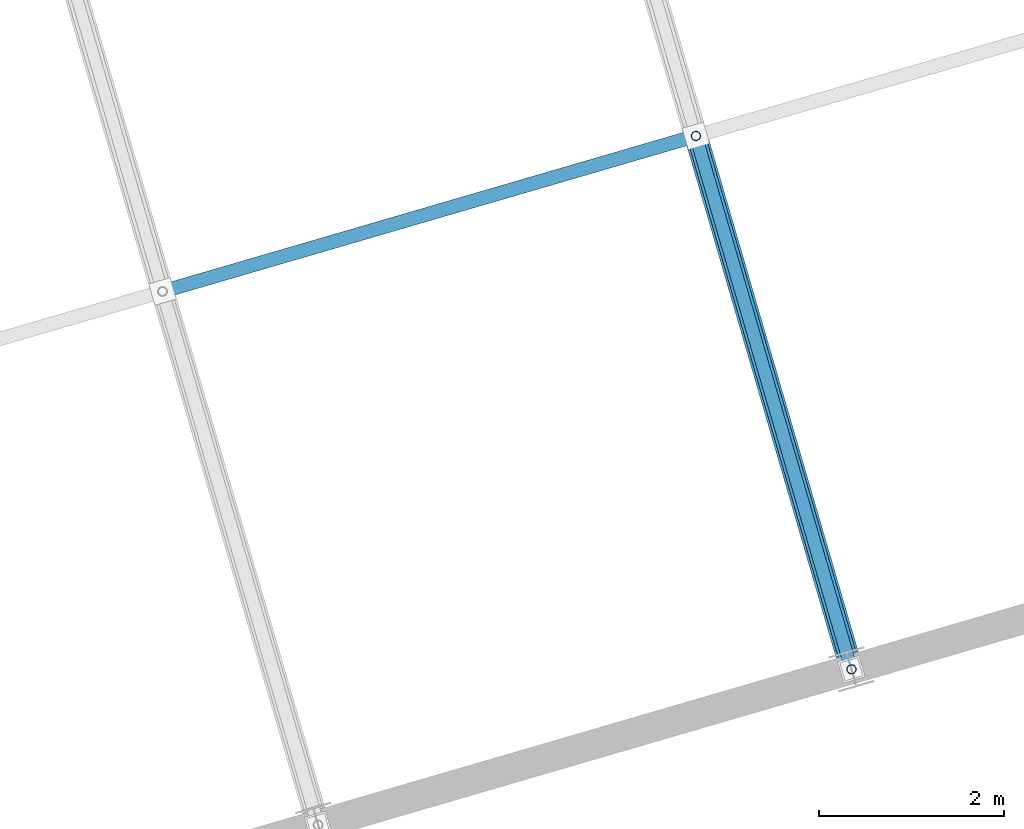
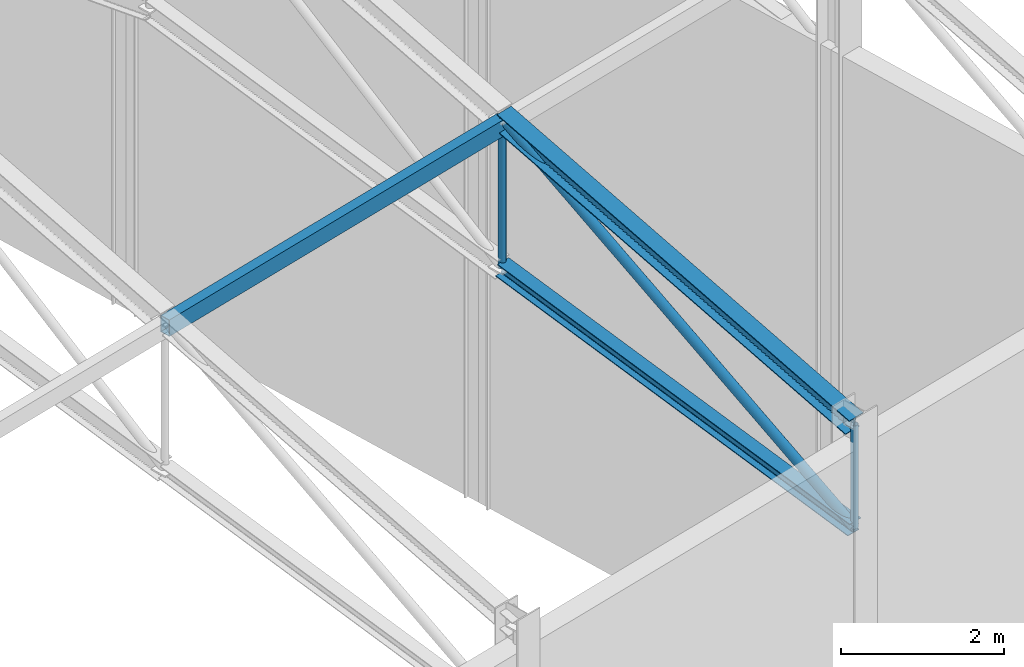
# One storey, part 166 of 248: 6 members.
"""IFC4 building model written with IfcOpenShell, lengths in metres."""

from ifc_helpers import new_model, si_unit, direction, frame, origin, origin_2d, place, context, subcontext, project, spatial, hollow_rectangle, hollow_circle, i_section, extrude, material, material_profile, profile_set, type_object, element, save


model = new_model("IFC4")

# Units and contexts
model_context = context("Model", 3, precision=1e-05, world=origin(), true_north=direction((0.0, 1.0)))
body_context = subcontext(model_context, "Body", "Model", "MODEL_VIEW")
ifc_project = project(units=[si_unit("LENGTHUNIT", "METRE"), si_unit("AREAUNIT", "SQUARE_METRE"), si_unit("VOLUMEUNIT", "CUBIC_METRE"), si_unit("PLANEANGLEUNIT", "RADIAN"), si_unit("MASSUNIT", "GRAM", prefix="KILO")], contexts=[model_context])

# Site, building, storey
site_placement = place(None, origin())
site = spatial("IfcSite", under=ifc_project, at=site_placement, CompositionType="ELEMENT")
building_placement = place(site_placement, origin())
building = spatial("IfcBuilding", under=site, at=building_placement, Name="Canggui Botanical Conservatory", CompositionType="ELEMENT")
storey_placement = place(building_placement, frame((0.0, 0.0, 5.39990234375)))
storey = spatial("IfcBuildingStorey", under=building, at=storey_placement, Name="L02", CompositionType="ELEMENT", Elevation=5.39990234375)

# Members
ifc_material = material(Name="Steel Q355B", Category="steel")
ifc_material_profile_1 = material_profile(ifc_material, hollow_rectangle(XDim=0.14990234375, YDim=0.25, WallThickness=0.008056640625, at=origin_2d()), Name="RHS 150x250x8")
ifc_profile_set_1 = profile_set([ifc_material_profile_1], Name="Steel Q355B")
member_type_1 = type_object("IfcMemberType", Name="MEM-PUR01", PredefinedType="PURLIN", material=ifc_profile_set_1)
member_1_placement = place(storey_placement, frame((87.360107421875, 102.47998046875, 11.550048828125), z_axis=(0.960003190047, 0.279989062464, 0.0), x_axis=(-0.279989062464, 0.960003190047, 0.0)))
element("IfcMember", 1, at=member_1_placement, inside=storey, type_object=member_type_1, Name="Auditorium Roof Purlin 5-1", PredefinedType="PURLIN", context=body_context, shape_type="SweptSolid", body=[
    extrude(hollow_rectangle(XDim=0.14990234375, YDim=0.25, WallThickness=0.008056640625, at=origin_2d()), origin(), (0.0, 0.0, 1.0), 6.0),
])
ifc_material_profile_2 = material_profile(ifc_material, i_section(OverallWidth=0.25, OverallDepth=0.25, WebThickness=0.009033203125, FlangeThickness=0.013916015625, FilletRadius=0.01611328125, at=origin_2d()), Name="HW 250x250x9x14")
ifc_profile_set_2 = profile_set([ifc_material_profile_2], Name="Steel Q355B")
member_type_2 = type_object("IfcMemberType", Name="MEM-TC01", PredefinedType="CHORD", material=ifc_profile_set_2)
member_2_placement = place(storey_placement, frame((94.800048828125, 98.39990234375, 9.9501953125), z_axis=(-0.269385502469, 0.923646586216, 0.272595735168), x_axis=(-0.960003190047, -0.279989062464, 0.0)))
element("IfcMember", 2, at=member_2_placement, inside=storey, type_object=member_type_2, Name="Auditorium Truss AT-06 Top Chord 1", PredefinedType="CHORD", context=body_context, shape_type="SweptSolid", body=[
    extrude(i_section(OverallWidth=0.25, OverallDepth=0.25, WebThickness=0.009033203125, FlangeThickness=0.013916015625, FilletRadius=0.01611328125, at=origin_2d()), origin(), (0.0, 0.0, 1.0), 6.236083984375),
])
ifc_material_profile_3 = material_profile(ifc_material, i_section(OverallWidth=0.199951171875, OverallDepth=0.199951171875, WebThickness=0.008056640625, FlangeThickness=0.011962890625, FilletRadius=0.012939453125, at=origin_2d()), Name="HW 200x200x8x12")
ifc_profile_set_3 = profile_set([ifc_material_profile_3], Name="Steel Q355B")
member_type_3 = type_object("IfcMemberType", Name="MEM-TC02", PredefinedType="CHORD", material=ifc_profile_set_3)
member_3_placement = place(storey_placement, frame((94.800048828125, 98.39990234375, 8.400146484375), z_axis=(-0.276179497805, 0.946941271868, 0.16439924764), x_axis=(-0.960003190047, -0.279989062464, 0.0)))
element("IfcMember", 3, at=member_3_placement, inside=storey, type_object=member_type_3, Name="Auditorium Truss AT-06 Bottom Chord 1", PredefinedType="CHORD", context=body_context, shape_type="SweptSolid", body=[
    extrude(i_section(OverallWidth=0.199951171875, OverallDepth=0.199951171875, WebThickness=0.008056640625, FlangeThickness=0.011962890625, FilletRadius=0.012939453125, at=origin_2d()), origin(), (0.0, 0.0, 1.0), 6.082763671875),
])
ifc_material_profile_4 = material_profile(ifc_material, hollow_circle(Radius=0.070068359375, WallThickness=0.006103515625, at=origin_2d()), Name="CHS 140x6")
ifc_profile_set_4 = profile_set([ifc_material_profile_4], Name="Steel Q355B")
member_type_4 = type_object("IfcMemberType", Name="MEM-TW01", PredefinedType="BRACE", material=ifc_profile_set_4)
member_4_placement = place(storey_placement, frame((94.800048828125, 98.39990234375, 8.400146484375), z_axis=(-0.246192042448, 0.844122781207, 0.476283747867), x_axis=(-0.960003190047, -0.279989062464, 0.0)))
element("IfcMember", 4, at=member_4_placement, inside=storey, type_object=member_type_4, Name="Auditorium Truss AT-06 Web Diagonal 1", PredefinedType="BRACE", context=body_context, shape_type="SweptSolid", body=[
    extrude(hollow_circle(Radius=0.070068359375, WallThickness=0.006103515625, at=origin_2d()), origin(), (0.0, 0.0, 1.0), 6.82373046875),
])
ifc_material_profile_5 = material_profile(ifc_material, hollow_circle(Radius=0.051025390625, WallThickness=0.0048828125, at=origin_2d()), Name="CHS 102x5")
ifc_profile_set_5 = profile_set([ifc_material_profile_5], Name="Steel Q355B")
member_type_5 = type_object("IfcMemberType", Name="MEM-TW04", PredefinedType="BRACE", material=ifc_profile_set_5)
member_5_placement = place(storey_placement, frame((94.800048828125, 98.39990234375, 8.400146484375), z_axis=(0.0, 0.0, 1.0), x_axis=(1.0, 0.0, 0.0)))
element("IfcMember", 5, at=member_5_placement, inside=storey, type_object=member_type_5, Name="Auditorium Truss AT-06 Vertical Post 1", PredefinedType="BRACE", context=body_context, shape_type="SweptSolid", body=[
    extrude(hollow_circle(Radius=0.051025390625, WallThickness=0.0048828125, at=origin_2d()), origin(), (0.0, 0.0, 1.0), 1.550048828125),
])
member_6_placement = place(storey_placement, frame((93.1201171875, 104.159912109375, 9.400146484375), z_axis=(0.0, 0.0, 1.0), x_axis=(1.0, 0.0, 0.0)))
element("IfcMember", 6, at=member_6_placement, inside=storey, type_object=member_type_5, Name="Auditorium Truss AT-06 Vertical Post 2", PredefinedType="BRACE", context=body_context, shape_type="SweptSolid", body=[
    extrude(hollow_circle(Radius=0.051025390625, WallThickness=0.0048828125, at=origin_2d()), origin(), (0.0, 0.0, 1.0), 2.25),
])

save(model, "model.ifc")
